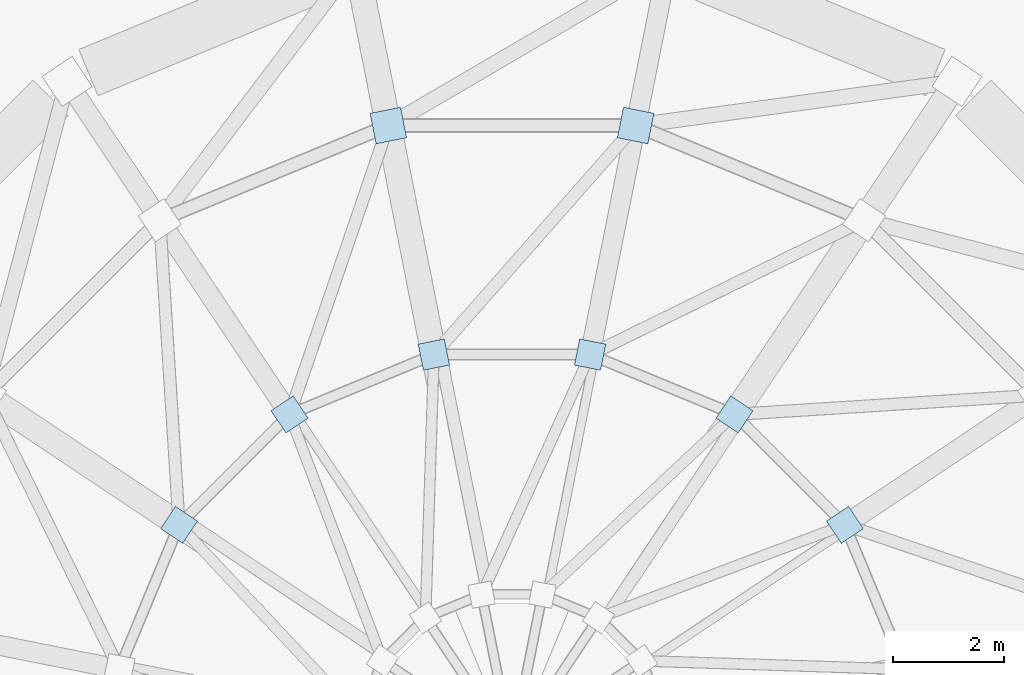
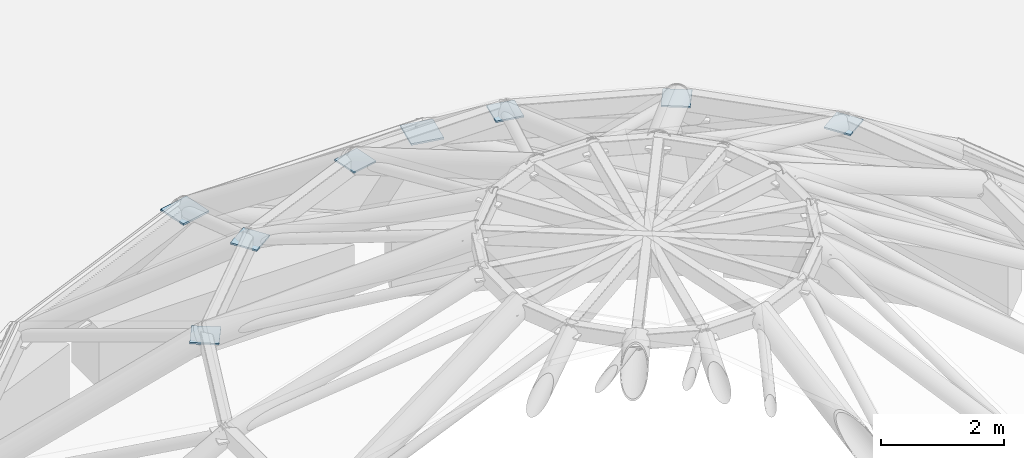
# One storey, part 21 of 32: 8 plates.
"""IFC4 building model written with IfcOpenShell, lengths in metres."""

from ifc_helpers import new_model, si_unit, direction, frame, origin, origin_2d, place, context, subcontext, project, spatial, rectangle, extrude, material, layer, layer_set, type_object, element, save


model = new_model("IFC4")

# Units and contexts
model_context = context("Model", 3, precision=1e-05, world=origin(), true_north=direction((0.0, 1.0)))
body_context = subcontext(model_context, "Body", "Model", "MODEL_VIEW")
ifc_project = project(units=[si_unit("LENGTHUNIT", "METRE"), si_unit("AREAUNIT", "SQUARE_METRE"), si_unit("VOLUMEUNIT", "CUBIC_METRE"), si_unit("PLANEANGLEUNIT", "RADIAN"), si_unit("MASSUNIT", "GRAM", prefix="KILO")], contexts=[model_context])

# Site, building, storey
site_placement = place(None, origin())
site = spatial("IfcSite", under=ifc_project, at=site_placement, CompositionType="ELEMENT")
building_placement = place(site_placement, origin())
building = spatial("IfcBuilding", under=site, at=building_placement, Name="Qiaolan Assembly House", CompositionType="ELEMENT")
storey_placement = place(building_placement, frame((0.0, 0.0, 18.60009765625)))
storey = spatial("IfcBuildingStorey", under=building, at=storey_placement, Name="L04", CompositionType="ELEMENT", Elevation=18.60009765625)

# Plates
ifc_material = material(Name="Steel Q355B", Category="steel")
ifc_layer_1 = layer(ifc_material, 0.034912109375)
ifc_layer_set_1 = layer_set([ifc_layer_1], Name="Steel Q355B")
plate_type_1 = type_object("IfcPlateType", Name="PLT-NODE-DN2-RING", PredefinedType="SHEET", material=ifc_layer_set_1)
for number, where, z_axis, x_axis, name in (
    (1, (70.6240234375, 72.380859375, 3.7822265625), (0.0, 0.0, 1.0), (0.195090322016, 0.980785280403, 0.0), "DN2 dome steel node and end-cap assembly T1-4"),
    (2, (66.176025390625, 72.380859375, 3.7822265625), (0.0, 0.0, 1.0), (-0.195090322016, 0.980785280403, 0.0), "DN2 dome steel node and end-cap assembly T1-5"),
):
    element("IfcPlate", number, at=place(storey_placement, frame(where, z_axis=z_axis, x_axis=x_axis)), inside=storey, type_object=plate_type_1, Name=name, PredefinedType="SHEET", context=body_context, shape_type="SweptSolid", body=[
        extrude(rectangle(XDim=0.56005859375, YDim=0.56005859375, at=origin_2d()), origin(), (0.0, 0.0, 1.0), 0.034912109375),
    ])
ifc_layer_2 = layer(ifc_material, 0.031005859375)
ifc_layer_set_2 = layer_set([ifc_layer_2], Name="Steel Q355B")
plate_type_2 = type_object("IfcPlateType", Name="PLT-NODE-DN3-UPPER", PredefinedType="SHEET", material=ifc_layer_set_2)
for number, where, z_axis, x_axis, name in (
    (3, (74.386474609375, 65.2001953125, 6.984375), (0.0, 0.0, 1.0), (0.831469612303, 0.55557023302, 0.0), "DN3 dome steel node and end-cap assembly T2-2"),
    (4, (72.400146484375, 67.1865234375, 6.984375), (0.0, 0.0, 1.0), (0.55557023302, 0.831469612303, 0.0), "DN3 dome steel node and end-cap assembly T2-3"),
    (5, (69.8046875, 68.26171875, 6.984375), (0.0, 0.0, 1.0), (0.195090322016, 0.980785280403, 0.0), "DN3 dome steel node and end-cap assembly T2-4"),
    (6, (66.995361328125, 68.26171875, 6.984375), (0.0, 0.0, 1.0), (-0.195090322016, 0.980785280403, 0.0), "DN3 dome steel node and end-cap assembly T2-5"),
    (7, (64.39990234375, 67.1865234375, 6.984375), (0.0, 0.0, 1.0), (-0.55557023302, 0.831469612303, 0.0), "DN3 dome steel node and end-cap assembly T2-6"),
    (8, (62.413330078125, 65.2001953125, 6.984375), (0.0, 0.0, 1.0), (-0.831469612303, 0.55557023302, 0.0), "DN3 dome steel node and end-cap assembly T2-7"),
):
    element("IfcPlate", number, at=place(storey_placement, frame(where, z_axis=z_axis, x_axis=x_axis)), inside=storey, type_object=plate_type_2, Name=name, PredefinedType="SHEET", context=body_context, shape_type="SweptSolid", body=[
        extrude(rectangle(XDim=0.47998046875, YDim=0.47998046875, at=origin_2d()), origin(), (0.0, 0.0, 1.0), 0.031005859375),
    ])

save(model, "model.ifc")
